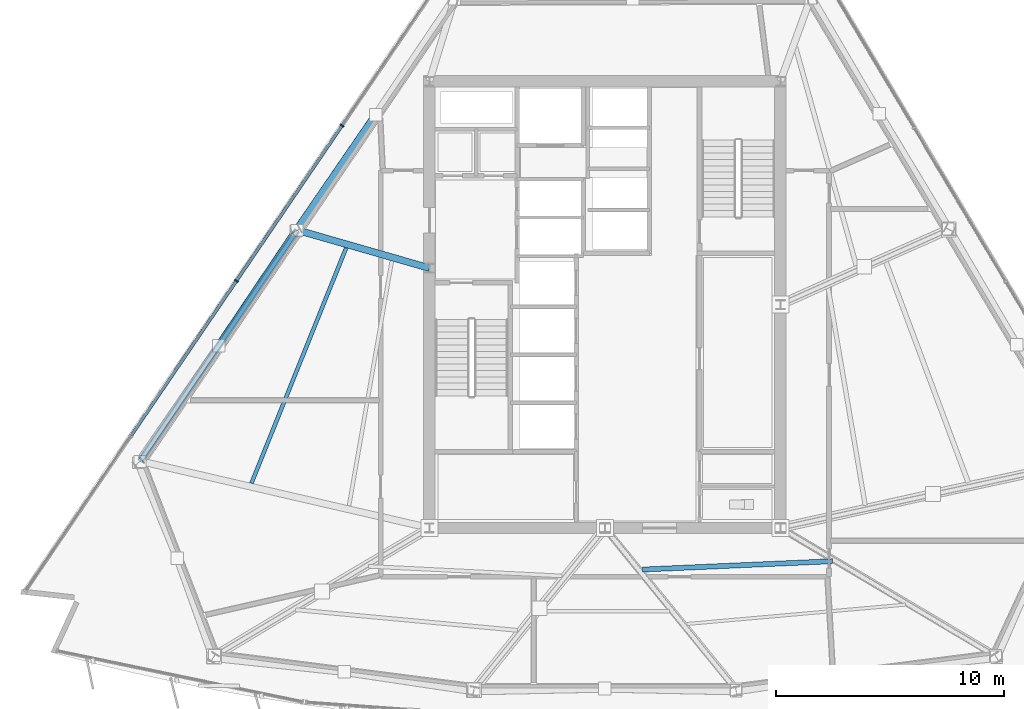
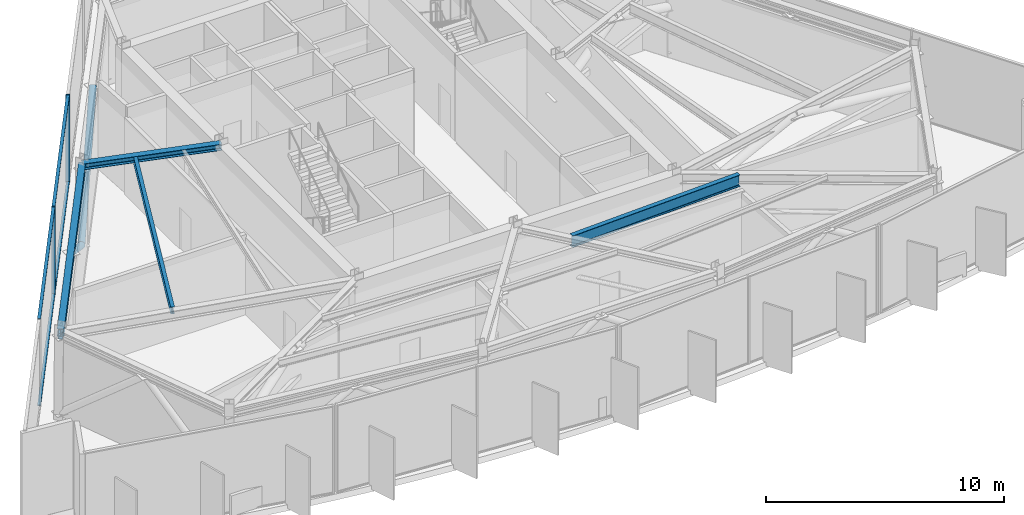
# One storey, part 3 of 14: 9 members, 4 beams, 1 element without a shape of its own.
"""IFC4 building model written with IfcOpenShell, lengths in metres."""

from ifc_helpers import new_model, si_unit, direction, frame, origin, origin_2d, place, context, subcontext, project, spatial, rectangle, hollow_rectangle, hollow_circle, i_section, extrude, material, material_profile, profile_set, type_object, element, aggregate, save


model = new_model("IFC4")

# Units and contexts
model_context = context("Model", 3, precision=1e-05, world=origin(), true_north=direction((0.0, 1.0)))
body_context = subcontext(model_context, "Body", "Model", "MODEL_VIEW")
ifc_project = project(units=[si_unit("LENGTHUNIT", "METRE"), si_unit("AREAUNIT", "SQUARE_METRE"), si_unit("VOLUMEUNIT", "CUBIC_METRE"), si_unit("PLANEANGLEUNIT", "RADIAN"), si_unit("MASSUNIT", "GRAM", prefix="KILO")], contexts=[model_context])

# Site, building, storey
site_placement = place(None, origin())
site = spatial("IfcSite", under=ifc_project, at=site_placement, CompositionType="ELEMENT")
building_placement = place(site_placement, origin())
building = spatial("IfcBuilding", under=site, at=building_placement, Name="Savorim Split Tower", CompositionType="ELEMENT")
storey_placement = place(building_placement, frame((0.0, 0.0, 185.39990234375)))
storey = spatial("IfcBuildingStorey", under=building, at=storey_placement, Name="L49", CompositionType="ELEMENT", Elevation=185.39990234375)

# Beams
ifc_material_1 = material(Name="Steel S355", Category="steel")
ifc_material_profile_1 = material_profile(ifc_material_1, i_section(OverallWidth=0.169921875, OverallDepth=0.360107421875, WebThickness=0.008056640625, FlangeThickness=0.0126953125, FilletRadius=0.01806640625, at=origin_2d()), Name="IPE 360")
ifc_profile_set_1 = profile_set([ifc_material_profile_1], Name="Steel S355")
beam_type_1 = type_object("IfcBeamType", Name="BM-JST-IPE360", PredefinedType="JOIST", material=ifc_profile_set_1)
beam_1_placement = place(storey_placement, frame((-11.350341796875, 2.884033203125, 4.320068359375), z_axis=(-0.373505136242, -0.927628111476, 0.0), x_axis=(0.927628111476, -0.373505136242, 0.0)))
element("IfcBeam", 1, at=beam_1_placement, inside=storey, type_object=beam_type_1, Name="L49 Secondary Floor Joist JS-10", PredefinedType="JOIST", context=body_context, shape_type="SweptSolid", body=[
    extrude(i_section(OverallWidth=0.169921875, OverallDepth=0.360107421875, WebThickness=0.008056640625, FlangeThickness=0.0126953125, FilletRadius=0.01806640625, at=origin_2d()), origin(), (0.0, 0.0, 1.0), 11.123046875),
])
ifc_material_profile_2 = material_profile(ifc_material_1, i_section(OverallWidth=0.219970703125, OverallDepth=0.60009765625, WebThickness=0.011962890625, FlangeThickness=0.01904296875, FilletRadius=0.02392578125, at=origin_2d()), Name="IPE 600")
ifc_profile_set_2 = profile_set([ifc_material_profile_2], Name="Steel S355")
beam_type_2 = type_object("IfcBeamType", Name="BM-JST-IPE600", PredefinedType="JOIST", material=ifc_profile_set_2)
beam_2_placement = place(storey_placement, frame((1.6513671875, -11.223876953125, 4.2001953125), z_axis=(0.999037910163, 0.043854920562, 0.0), x_axis=(-0.043854920562, 0.999037910163, 0.0)))
element("IfcBeam", 2, at=beam_2_placement, inside=storey, type_object=beam_type_2, Name="L49 Secondary Floor Joist JS-05", PredefinedType="JOIST", context=body_context, shape_type="SweptSolid", body=[
    extrude(i_section(OverallWidth=0.219970703125, OverallDepth=0.60009765625, WebThickness=0.011962890625, FlangeThickness=0.01904296875, FilletRadius=0.02392578125, at=origin_2d()), origin(), (0.0, 0.0, 1.0), 8.344970703125),
])
ifc_material_profile_3 = material_profile(ifc_material_1, i_section(OverallWidth=0.300048828125, OverallDepth=0.320068359375, WebThickness=0.011474609375, FlangeThickness=0.0205078125, FilletRadius=0.027099609375, at=origin_2d()), Name="HEB 320")
ifc_profile_set_3 = profile_set([ifc_material_profile_3], Name="Steel S355")
beam_type_3 = type_object("IfcBeamType", Name="BM-PRI-HEB320", PredefinedType="BEAM", material=ifc_profile_set_3)
beam_3_placement = place(storey_placement, frame((-13.4912109375, 3.6650390625, 4.340087890625), z_axis=(0.96106701763, -0.276315377102, 0.0), x_axis=(0.276315377102, 0.96106701763, 0.0)))
element("IfcBeam", 3, at=beam_3_placement, inside=storey, type_object=beam_type_3, Name="L49 Primary Floor Girder RG-09", PredefinedType="BEAM", context=body_context, shape_type="SweptSolid", body=[
    extrude(i_section(OverallWidth=0.300048828125, OverallDepth=0.320068359375, WebThickness=0.011474609375, FlangeThickness=0.0205078125, FilletRadius=0.027099609375, at=origin_2d()), origin(), (0.0, 0.0, 1.0), 6.02587890625),
])
ifc_material_profile_4 = material_profile(ifc_material_1, i_section(OverallWidth=0.300048828125, OverallDepth=0.389892578125, WebThickness=0.010986328125, FlangeThickness=0.01904296875, FilletRadius=0.027099609375, at=origin_2d()), Name="HEA 400")
ifc_profile_set_4 = profile_set([ifc_material_profile_4], Name="Steel S355")
beam_type_4 = type_object("IfcBeamType", Name="BM-SPN-HEA400", PredefinedType="SPANDREL", material=ifc_profile_set_4)
beam_4_placement = place(storey_placement, frame((-13.4912109375, 3.6650390625, 4.30517578125), z_axis=(-0.562476735179, -0.826813112125, 0.0), x_axis=(0.826813112125, -0.562476735179, 0.0)))
element("IfcBeam", 4, at=beam_4_placement, inside=storey, type_object=beam_type_4, Name="L49 Perimeter Spandrel Beam 9", PredefinedType="SPANDREL", context=body_context, shape_type="SweptSolid", body=[
    extrude(i_section(OverallWidth=0.300048828125, OverallDepth=0.389892578125, WebThickness=0.010986328125, FlangeThickness=0.01904296875, FilletRadius=0.027099609375, at=origin_2d()), origin(), (0.0, 0.0, 1.0), 12.256103515625),
])

# Curtain wall, members
ifc_material_2 = material(Name="Dark Ceramic-Fritted Insulated Glass", Category="glass")
curtain_wall_type = type_object("IfcCurtainWallType", Name="CW-REFUGE-LVR", PredefinedType="NOTDEFINED", material=ifc_material_2)
curtain_wall_placement = place(storey_placement, origin())
curtain_wall = element("IfcCurtainWall", 5, at=curtain_wall_placement, inside=storey, type_object=curtain_wall_type, Name="L49 Curtain Wall CW-L49-WEST", PredefinedType="NOTDEFINED")
ifc_material_3 = material(Name="Charcoal Anodised Aluminium", Category="aluminium")
ifc_material_profile_5 = material_profile(ifc_material_3, rectangle(XDim=0.179931640625, YDim=0.06494140625, at=origin_2d()), Name="ALU-M 180x65")
ifc_profile_set_5 = profile_set([ifc_material_profile_5], Name="Charcoal Anodised Aluminium")
member_type_1 = type_object("IfcMemberType", Name="CWM-180x65", PredefinedType="MULLION", material=ifc_profile_set_5)
member_1_placement = place(storey_placement, frame((-11.52880859375, 8.255859375, 0.0), z_axis=(0.0, 0.0, 1.0), x_axis=(0.826820328821, -0.562466126845, 0.0)))
member_1 = element("IfcMember", 6, at=member_1_placement, type_object=member_type_1, Name="CW-06 mullion 3", PredefinedType="MULLION", context=body_context, shape_type="SweptSolid", body=[
    extrude(rectangle(XDim=0.179931640625, YDim=0.06494140625, at=origin_2d()), origin(), (0.0, 0.0, 1.0), 4.5),
])
member_2_placement = place(storey_placement, frame((-16.164306640625, 1.44140625, 0.0), z_axis=(0.0, 0.0, 1.0), x_axis=(0.826820328821, -0.562466126845, 0.0)))
member_2 = element("IfcMember", 7, at=member_2_placement, type_object=member_type_1, Name="CW-06 mullion 4", PredefinedType="MULLION", context=body_context, shape_type="SweptSolid", body=[
    extrude(rectangle(XDim=0.179931640625, YDim=0.06494140625, at=origin_2d()), origin(), (0.0, 0.0, 1.0), 4.5),
])
ifc_material_profile_6 = material_profile(ifc_material_3, rectangle(XDim=0.139892578125, YDim=0.054931640625, at=origin_2d()), Name="ALU-T 140x55")
ifc_profile_set_6 = profile_set([ifc_material_profile_6], Name="Charcoal Anodised Aluminium")
member_type_2 = type_object("IfcMemberType", Name="CWT-140x55", PredefinedType="USERDEFINED", material=ifc_profile_set_6)
member_3_placement = place(storey_placement, frame((-11.547119140625, 8.22900390625, 0.027587890625), z_axis=(-0.562441502054, -0.826837079942, 0.0), x_axis=(0.826837079942, -0.562441502054, 0.0)))
member_3 = element("IfcMember", 8, at=member_3_placement, type_object=member_type_2, Name="CW-06 transom 3.1", ObjectType="TRANSOM", PredefinedType="USERDEFINED", context=body_context, shape_type="SweptSolid", body=[
    extrude(rectangle(XDim=0.139892578125, YDim=0.054931640625, at=origin_2d()), origin(), (0.0, 0.0, 1.0), 8.176513671875),
])
member_4_placement = place(storey_placement, frame((-11.547119140625, 8.22900390625, 4.47265625), z_axis=(-0.562441502054, -0.826837079942, 0.0), x_axis=(0.826837079942, -0.562441502054, 0.0)))
member_4 = element("IfcMember", 9, at=member_4_placement, type_object=member_type_2, Name="CW-06 transom 3.2", ObjectType="TRANSOM", PredefinedType="USERDEFINED", context=body_context, shape_type="SweptSolid", body=[
    extrude(rectangle(XDim=0.139892578125, YDim=0.054931640625, at=origin_2d()), origin(), (0.0, 0.0, 1.0), 8.176513671875),
])
member_5_placement = place(storey_placement, frame((-16.1826171875, 1.41455078125, 0.027587890625), z_axis=(-0.562475800323, -0.826813748102, 0.0), x_axis=(0.826813748102, -0.562475800323, 0.0)))
member_5 = element("IfcMember", 10, at=member_5_placement, type_object=member_type_2, Name="CW-06 transom 4.1", ObjectType="TRANSOM", PredefinedType="USERDEFINED", context=body_context, shape_type="SweptSolid", body=[
    extrude(rectangle(XDim=0.139892578125, YDim=0.054931640625, at=origin_2d()), origin(), (0.0, 0.0, 1.0), 8.176513671875),
])
member_6_placement = place(storey_placement, frame((-16.1826171875, 1.41455078125, 4.47265625), z_axis=(-0.562475800323, -0.826813748102, 0.0), x_axis=(0.826813748102, -0.562475800323, 0.0)))
member_6 = element("IfcMember", 11, at=member_6_placement, type_object=member_type_2, Name="CW-06 transom 4.2", ObjectType="TRANSOM", PredefinedType="USERDEFINED", context=body_context, shape_type="SweptSolid", body=[
    extrude(rectangle(XDim=0.139892578125, YDim=0.054931640625, at=origin_2d()), origin(), (0.0, 0.0, 1.0), 8.176513671875),
])
aggregate(curtain_wall, [member_1, member_2, member_3, member_4, member_5, member_6])

# Members
ifc_material_4 = material(Name="Steel S460", Category="steel")
ifc_material_profile_7 = material_profile(ifc_material_4, hollow_circle(Radius=0.161865234375, WallThickness=0.01611328125, at=origin_2d()), Name="CHS 323.9x16")
ifc_profile_set_7 = profile_set([ifc_material_profile_7], Name="Steel S460")
member_type_3 = type_object("IfcMemberType", Name="MBR-BLT-CHS324", PredefinedType="BRACE", material=ifc_profile_set_7)
member_7_placement = place(storey_placement, frame((-13.548828125, 3.6328125, 0.280029296875), z_axis=(0.480889179949, 0.699724913781, 0.528328157154), x_axis=(-0.824136320795, 0.56639149424, 0.0)))
element("IfcMember", 12, at=member_7_placement, inside=storey, type_object=member_type_3, Name="L49 Perimeter Belt Truss Brace 8B", PredefinedType="BRACE", context=body_context, shape_type="SweptSolid", body=[
    extrude(hollow_circle(Radius=0.161865234375, WallThickness=0.01611328125, at=origin_2d()), origin(), (0.0, 0.0, 1.0), 7.287353515625),
])
member_8_placement = place(storey_placement, frame((-13.548828125, 3.6328125, 0.280029296875), z_axis=(-0.471584901445, -0.700464759252, 0.535683490296), x_axis=(0.829522881083, -0.558472729648, 0.0)))
element("IfcMember", 13, at=member_8_placement, inside=storey, type_object=member_type_3, Name="L49 Perimeter Belt Truss Brace 9A", PredefinedType="BRACE", context=body_context, shape_type="SweptSolid", body=[
    extrude(hollow_circle(Radius=0.161865234375, WallThickness=0.01611328125, at=origin_2d()), origin(), (0.0, 0.0, 1.0), 7.187255859375),
])
ifc_material_profile_8 = material_profile(ifc_material_1, hollow_rectangle(XDim=0.199951171875, YDim=0.300048828125, WallThickness=0.012451171875, InnerFilletRadius=0.012451171875, OuterFilletRadius=0.02490234375, at=origin_2d()), Name="RHS 300x200x12.5")
ifc_profile_set_8 = profile_set([ifc_material_profile_8], Name="Steel S355")
member_type_4 = type_object("IfcMemberType", Name="MBR-CHD-RHS300", PredefinedType="CHORD", material=ifc_profile_set_8)
member_9_placement = place(storey_placement, frame((-13.499755859375, 3.660400390625, 4.130126953125), z_axis=(-0.562476634847, -0.826813180381, 0.0), x_axis=(0.826813180381, -0.562476634847, 0.0)))
element("IfcMember", 14, at=member_9_placement, inside=storey, type_object=member_type_4, Name="L49 Perimeter Belt Truss Chord 9", PredefinedType="CHORD", context=body_context, shape_type="SweptSolid", body=[
    extrude(hollow_rectangle(XDim=0.199951171875, YDim=0.300048828125, WallThickness=0.012451171875, InnerFilletRadius=0.012451171875, OuterFilletRadius=0.02490234375, at=origin_2d()), origin(), (0.0, 0.0, 1.0), 12.263427734375),
])

save(model, "model.ifc")
